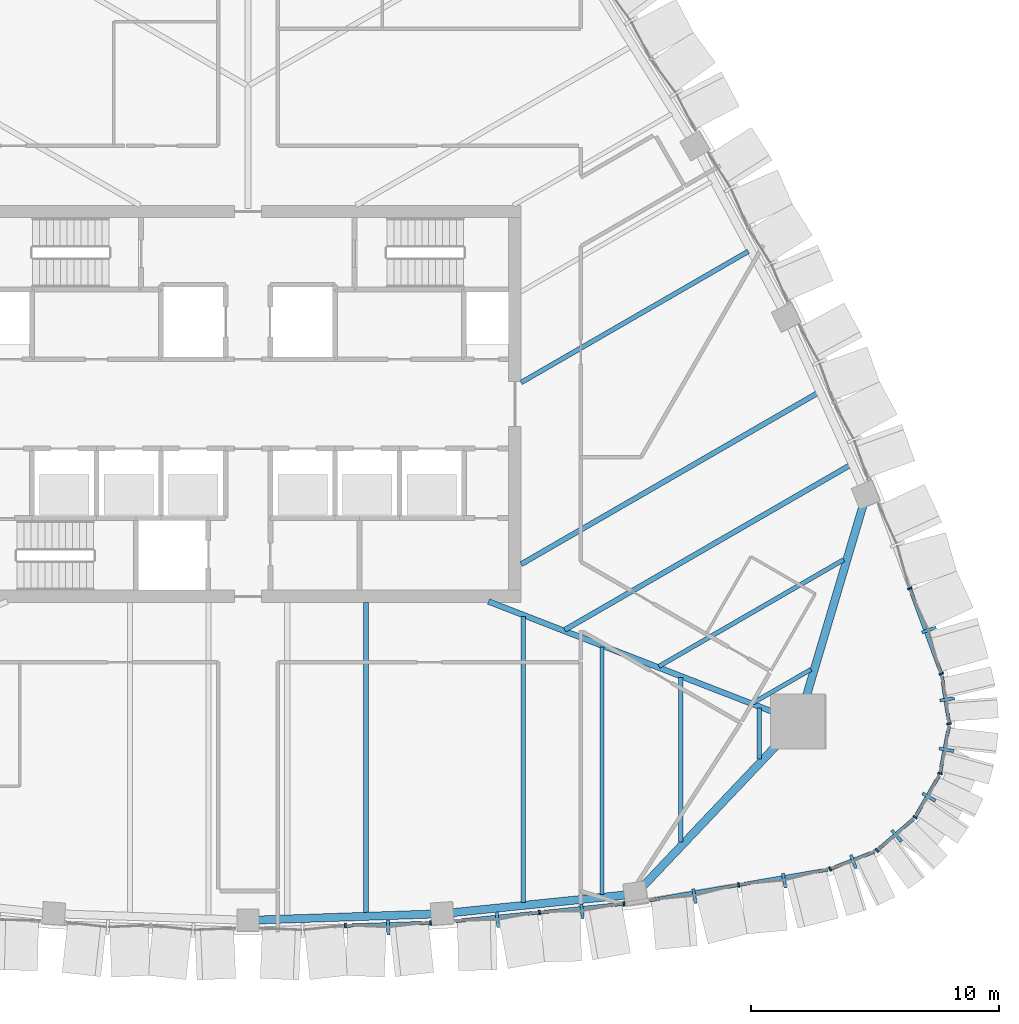
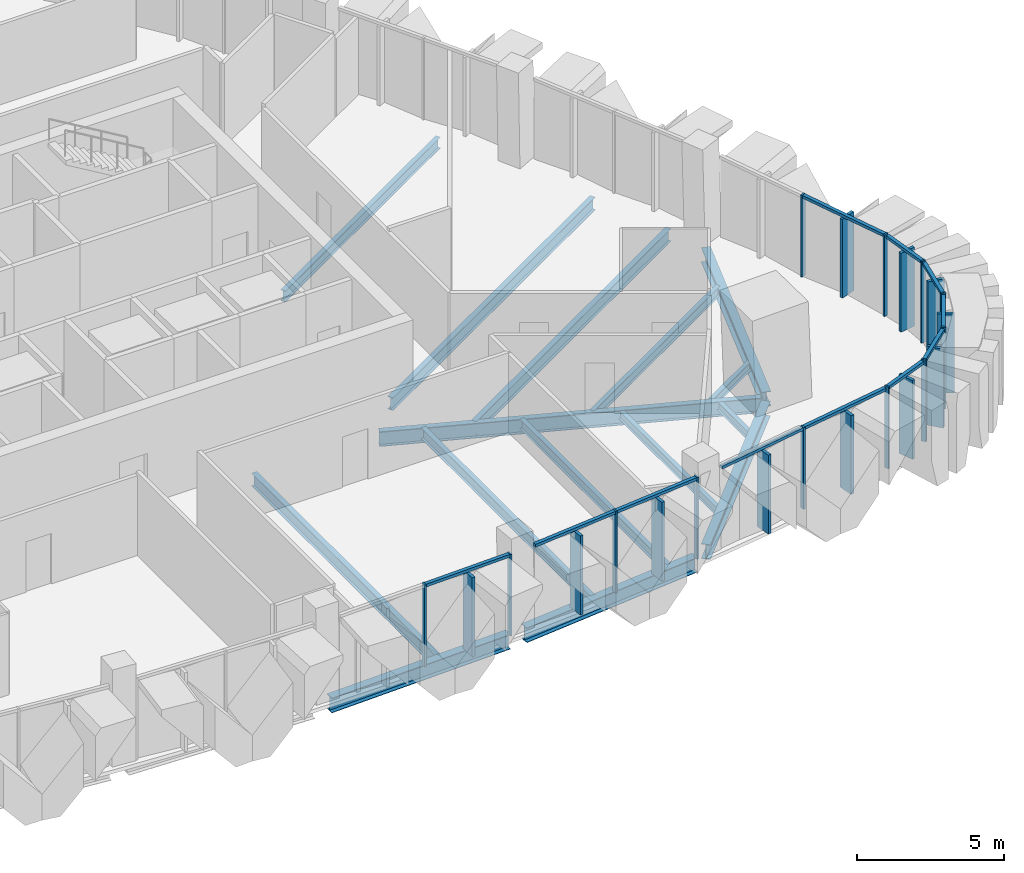
# One storey, part 4 of 19: 34 members, 15 beams, 9 elements without a shape of their own.
"""IFC4 building model written with IfcOpenShell, lengths in metres."""

from ifc_helpers import new_model, si_unit, direction, frame, origin, origin_2d, place, context, subcontext, project, spatial, rectangle, i_section, extrude, material, layer, layer_set, material_profile, profile_set, type_object, element, aggregate, save


model = new_model("IFC4")

# Units and contexts
model_context = context("Model", 3, precision=1e-05, world=origin(), true_north=direction((0.0, 1.0)))
body_context = subcontext(model_context, "Body", "Model", "MODEL_VIEW")
ifc_project = project(units=[si_unit("LENGTHUNIT", "METRE"), si_unit("AREAUNIT", "SQUARE_METRE"), si_unit("VOLUMEUNIT", "CUBIC_METRE"), si_unit("PLANEANGLEUNIT", "RADIAN"), si_unit("MASSUNIT", "GRAM", prefix="KILO")], contexts=[model_context])

# Site, building, storey
site_placement = place(None, origin())
site = spatial("IfcSite", under=ifc_project, at=site_placement, CompositionType="ELEMENT")
building_placement = place(site_placement, origin())
building = spatial("IfcBuilding", under=site, at=building_placement, Name="Sierra Prisma Convention Tower", CompositionType="ELEMENT")
storey_placement = place(building_placement, frame((0.0, 0.0, 235.0)))
storey = spatial("IfcBuildingStorey", under=building, at=storey_placement, Name="L52", CompositionType="ELEMENT", Elevation=235.0)

# Curtain wall, member
ifc_material_1 = material(Name="Aluminium and glass curtain wall", Category="aluminium")
ifc_layer = layer(ifc_material_1, 0.179931640625)
ifc_layer_set = layer_set([ifc_layer], Name="CW-2 Faceted crystal curtain wall")
curtain_wall_type = type_object("IfcCurtainWallType", Name="CW-2 Faceted crystal curtain wall", PredefinedType="NOTDEFINED", material=ifc_layer_set)
curtain_wall_1_placement = place(storey_placement, origin())
curtain_wall_1 = element("IfcCurtainWall", 1, at=curtain_wall_1_placement, inside=storey, type_object=curtain_wall_type, Name="CW-2 S4 L52", PredefinedType="NOTDEFINED")
ifc_material_2 = material(Name="Aluminium 6063-T6 bronze anodised", Category="aluminium")
ifc_material_profile_1 = material_profile(ifc_material_2, rectangle(XDim=0.1201171875, YDim=0.60009765625, at=origin_2d()), Name="ALU RIDGE BLADE 120x600")
ifc_profile_set_1 = profile_set([ifc_material_profile_1], Name="Aluminium 6063-T6 bronze anodised")
member_type_1 = type_object("IfcMemberType", Name="CW hip bronze", PredefinedType="MULLION", material=ifc_profile_set_1)
member_1_placement = place(storey_placement, frame((5.642578125, -21.087158203125, 0.0), z_axis=(0.0, 0.0, 1.0), x_axis=(0.999418789937, 0.034089328551, 0.0)))
member_1 = element("IfcMember", 2, at=member_1_placement, type_object=member_type_1, Name="CW-2 ridge S4.2", PredefinedType="MULLION", context=body_context, shape_type="SweptSolid", body=[
    extrude(rectangle(XDim=0.1201171875, YDim=0.60009765625, at=origin_2d()), origin(), (0.0, 0.0, 1.0), 3.280029296875),
])

# Curtain wall, members
curtain_wall_2_placement = place(storey_placement, origin())
curtain_wall_2 = element("IfcCurtainWall", 3, at=curtain_wall_2_placement, inside=storey, type_object=curtain_wall_type, Name="CW-2 S5 L52", PredefinedType="NOTDEFINED")
member_2_placement = place(storey_placement, frame((10.05078125, -20.786376953125, 0.0), z_axis=(0.0, 0.0, 1.0), x_axis=(0.994773162307, 0.102109527247, 0.0)))
member_2 = element("IfcMember", 4, at=member_2_placement, type_object=member_type_1, Name="CW-2 ridge S5.1", PredefinedType="MULLION", context=body_context, shape_type="SweptSolid", body=[
    extrude(rectangle(XDim=0.1201171875, YDim=0.60009765625, at=origin_2d()), origin(), (0.0, 0.0, 1.0), 3.280029296875),
])
member_3_placement = place(storey_placement, frame((13.454345703125, -20.43701171875, 0.0), z_axis=(0.0, 0.0, 1.0), x_axis=(0.994773162307, 0.102109527247, 0.0)))
member_3 = element("IfcMember", 5, at=member_3_placement, type_object=member_type_1, Name="CW-2 ridge S5.2", PredefinedType="MULLION", context=body_context, shape_type="SweptSolid", body=[
    extrude(rectangle(XDim=0.1201171875, YDim=0.60009765625, at=origin_2d()), origin(), (0.0, 0.0, 1.0), 3.280029296875),
])

curtain_wall_3_placement = place(storey_placement, origin())
curtain_wall_3 = element("IfcCurtainWall", 6, at=curtain_wall_3_placement, inside=storey, type_object=curtain_wall_type, Name="CW-2 S6 L52", PredefinedType="NOTDEFINED")
member_4_placement = place(storey_placement, frame((17.97900390625, -19.822998046875, 0.0), z_axis=(0.0, 0.0, 1.0), x_axis=(0.985503501452, 0.169655087236, 0.0)))
member_4 = element("IfcMember", 7, at=member_4_placement, type_object=member_type_1, Name="CW-2 ridge S6.1", PredefinedType="MULLION", context=body_context, shape_type="SweptSolid", body=[
    extrude(rectangle(XDim=0.1201171875, YDim=0.60009765625, at=origin_2d()), origin(), (0.0, 0.0, 1.0), 3.280029296875),
])
member_5_placement = place(storey_placement, frame((21.594482421875, -19.20068359375, 0.0), z_axis=(0.0, 0.0, 1.0), x_axis=(0.985503501452, 0.169655087236, 0.0)))
member_5 = element("IfcMember", 8, at=member_5_placement, type_object=member_type_1, Name="CW-2 ridge S6.2", PredefinedType="MULLION", context=body_context, shape_type="SweptSolid", body=[
    extrude(rectangle(XDim=0.1201171875, YDim=0.60009765625, at=origin_2d()), origin(), (0.0, 0.0, 1.0), 3.280029296875),
])

# Curtain wall, member
curtain_wall_4_placement = place(storey_placement, origin())
curtain_wall_4 = element("IfcCurtainWall", 9, at=curtain_wall_4_placement, inside=storey, type_object=curtain_wall_type, Name="CW-2 SE1 L52", PredefinedType="NOTDEFINED")
member_6_placement = place(storey_placement, frame((24.38720703125, -18.442626953125, 0.0), z_axis=(0.0, 0.0, 1.0), x_axis=(0.931201861345, 0.364503900429, 0.0)))
member_6 = element("IfcMember", 10, at=member_6_placement, type_object=member_type_1, Name="CW-2 ridge SE1.1", PredefinedType="MULLION", context=body_context, shape_type="SweptSolid", body=[
    extrude(rectangle(XDim=0.1201171875, YDim=0.60009765625, at=origin_2d()), origin(), (0.0, 0.0, 1.0), 3.280029296875),
])

curtain_wall_5_placement = place(storey_placement, origin())
curtain_wall_5 = element("IfcCurtainWall", 11, at=curtain_wall_5_placement, inside=storey, type_object=curtain_wall_type, Name="CW-2 SE2 L52", PredefinedType="NOTDEFINED")
member_7_placement = place(storey_placement, frame((26.126953125, -17.395751953125, 0.0), z_axis=(0.0, 0.0, 1.0), x_axis=(0.758264892074, 0.651946587879, 0.0)))
member_7 = element("IfcMember", 12, at=member_7_placement, type_object=member_type_1, Name="CW-2 ridge SE2.1", PredefinedType="MULLION", context=body_context, shape_type="SweptSolid", body=[
    extrude(rectangle(XDim=0.1201171875, YDim=0.60009765625, at=origin_2d()), origin(), (0.0, 0.0, 1.0), 3.280029296875),
])

curtain_wall_6_placement = place(storey_placement, origin())
curtain_wall_6 = element("IfcCurtainWall", 13, at=curtain_wall_6_placement, inside=storey, type_object=curtain_wall_type, Name="CW-2 SE3 L52", PredefinedType="NOTDEFINED")
member_8_placement = place(storey_placement, frame((27.4228515625, -15.83251953125, 0.0), z_axis=(0.0, 0.0, 1.0), x_axis=(0.5, 0.866025403784, 0.0)))
member_8 = element("IfcMember", 14, at=member_8_placement, type_object=member_type_1, Name="CW-2 ridge SE3.1", PredefinedType="MULLION", context=body_context, shape_type="SweptSolid", body=[
    extrude(rectangle(XDim=0.1201171875, YDim=0.60009765625, at=origin_2d()), origin(), (0.0, 0.0, 1.0), 3.280029296875),
])

curtain_wall_7_placement = place(storey_placement, origin())
curtain_wall_7 = element("IfcCurtainWall", 15, at=curtain_wall_7_placement, inside=storey, type_object=curtain_wall_type, Name="CW-2 SE4 L52", PredefinedType="NOTDEFINED")
member_9_placement = place(storey_placement, frame((28.128662109375, -13.9287109375, 0.0), z_axis=(0.0, 0.0, 1.0), x_axis=(0.185469860977, 0.982649953274, 0.0)))
member_9 = element("IfcMember", 16, at=member_9_placement, type_object=member_type_1, Name="CW-2 ridge SE4.1", PredefinedType="MULLION", context=body_context, shape_type="SweptSolid", body=[
    extrude(rectangle(XDim=0.1201171875, YDim=0.60009765625, at=origin_2d()), origin(), (0.0, 0.0, 1.0), 3.280029296875),
])

curtain_wall_8_placement = place(storey_placement, origin())
curtain_wall_8 = element("IfcCurtainWall", 17, at=curtain_wall_8_placement, inside=storey, type_object=curtain_wall_type, Name="CW-2 SE5 L52", PredefinedType="NOTDEFINED")
member_10_placement = place(storey_placement, frame((28.165283203125, -11.898681640625, 0.0), z_axis=(0.0, 0.0, 1.0), x_axis=(-0.149931293122, 0.98869641819, 0.0)))
member_10 = element("IfcMember", 18, at=member_10_placement, type_object=member_type_1, Name="CW-2 ridge SE5.1", PredefinedType="MULLION", context=body_context, shape_type="SweptSolid", body=[
    extrude(rectangle(XDim=0.1201171875, YDim=0.60009765625, at=origin_2d()), origin(), (0.0, 0.0, 1.0), 3.280029296875),
])

curtain_wall_9_placement = place(storey_placement, origin())
curtain_wall_9 = element("IfcCurtainWall", 19, at=curtain_wall_9_placement, inside=storey, type_object=curtain_wall_type, Name="CW-2 NE1 L52", PredefinedType="NOTDEFINED")
member_11_placement = place(storey_placement, frame((27.425537109375, -9.10107421875, 0.0), z_axis=(0.0, 0.0, 1.0), x_axis=(-0.345826135298, 0.938298611394, 0.0)))
member_11 = element("IfcMember", 20, at=member_11_placement, type_object=member_type_1, Name="CW-2 ridge NE1.1", PredefinedType="MULLION", context=body_context, shape_type="SweptSolid", body=[
    extrude(rectangle(XDim=0.1201171875, YDim=0.60009765625, at=origin_2d()), origin(), (0.0, 0.0, 1.0), 3.280029296875),
])

# Member
ifc_material_3 = material(Name="Aluminium 6063-T6 bronze anodised", Category="aluminium")
ifc_material_profile_2 = material_profile(ifc_material_3, rectangle(XDim=0.179931640625, YDim=0.070068359375, at=origin_2d()), Name="ALU MULLION 70x180")
ifc_profile_set_2 = profile_set([ifc_material_profile_2], Name="Aluminium 6063-T6 bronze anodised")
member_type_2 = type_object("IfcMemberType", Name="CW mullion bronze", PredefinedType="MULLION", material=ifc_profile_set_2)
member_12_placement = place(storey_placement, frame((3.92041015625, -21.013427734375, 0.0), z_axis=(0.0, 0.0, 1.0), x_axis=(-0.034089328551, 0.999418789937, 0.0)))
member_12 = element("IfcMember", 21, at=member_12_placement, type_object=member_type_2, Name="CW-1 mullion S4.2", PredefinedType="MULLION", context=body_context, shape_type="SweptSolid", body=[
    extrude(rectangle(XDim=0.179931640625, YDim=0.070068359375, at=origin_2d()), origin(), (0.0, 0.0, 1.0), 3.39990234375),
])

member_13_placement = place(storey_placement, frame((7.35595703125, -20.896240234375, 0.0), z_axis=(0.0, 0.0, 1.0), x_axis=(-0.034089328551, 0.999418789937, 0.0)))
member_13 = element("IfcMember", 22, at=member_13_placement, type_object=member_type_2, Name="CW-1 mullion S4.3", PredefinedType="MULLION", context=body_context, shape_type="SweptSolid", body=[
    extrude(rectangle(XDim=0.179931640625, YDim=0.070068359375, at=origin_2d()), origin(), (0.0, 0.0, 1.0), 3.39990234375),
])

member_14_placement = place(storey_placement, frame((11.739013671875, -20.48046875, 0.0), z_axis=(0.0, 0.0, 1.0), x_axis=(-0.102109527247, 0.994773162307, 0.0)))
member_14 = element("IfcMember", 23, at=member_14_placement, type_object=member_type_2, Name="CW-1 mullion S5.2", PredefinedType="MULLION", context=body_context, shape_type="SweptSolid", body=[
    extrude(rectangle(XDim=0.179931640625, YDim=0.070068359375, at=origin_2d()), origin(), (0.0, 0.0, 1.0), 3.39990234375),
])

member_15_placement = place(storey_placement, frame((15.142822265625, -20.131103515625, 0.0), z_axis=(0.0, 0.0, 1.0), x_axis=(-0.102109527247, 0.994773162307, 0.0)))
member_15 = element("IfcMember", 24, at=member_15_placement, type_object=member_type_2, Name="CW-1 mullion S5.3", PredefinedType="MULLION", context=body_context, shape_type="SweptSolid", body=[
    extrude(rectangle(XDim=0.179931640625, YDim=0.070068359375, at=origin_2d()), origin(), (0.0, 0.0, 1.0), 3.39990234375),
])

member_16_placement = place(storey_placement, frame((19.7626953125, -19.372314453125, 0.0), z_axis=(0.0, 0.0, 1.0), x_axis=(-0.169655087236, 0.985503501452, 0.0)))
member_16 = element("IfcMember", 25, at=member_16_placement, type_object=member_type_2, Name="CW-1 mullion S6.2", PredefinedType="MULLION", context=body_context, shape_type="SweptSolid", body=[
    extrude(rectangle(XDim=0.179931640625, YDim=0.070068359375, at=origin_2d()), origin(), (0.0, 0.0, 1.0), 3.39990234375),
])

member_17_placement = place(storey_placement, frame((23.4453125, -18.731201171875, 0.0), z_axis=(0.0, 0.0, 1.0), x_axis=(-0.364503900429, 0.931201861345, 0.0)))
member_17 = element("IfcMember", 26, at=member_17_placement, type_object=member_type_2, Name="CW-1 mullion SE1.1", PredefinedType="MULLION", context=body_context, shape_type="SweptSolid", body=[
    extrude(rectangle(XDim=0.179931640625, YDim=0.070068359375, at=origin_2d()), origin(), (0.0, 0.0, 1.0), 3.39990234375),
])

member_18_placement = place(storey_placement, frame((25.333740234375, -17.9794921875, 0.0), z_axis=(0.0, 0.0, 1.0), x_axis=(-0.651946587879, 0.758264892074, 0.0)))
member_18 = element("IfcMember", 27, at=member_18_placement, type_object=member_type_2, Name="CW-1 mullion SE2.1", PredefinedType="MULLION", context=body_context, shape_type="SweptSolid", body=[
    extrude(rectangle(XDim=0.179931640625, YDim=0.070068359375, at=origin_2d()), origin(), (0.0, 0.0, 1.0), 3.39990234375),
])

member_19_placement = place(storey_placement, frame((26.8671875, -16.645751953125, 0.0), z_axis=(0.0, 0.0, 1.0), x_axis=(-0.866025403784, 0.5, 0.0)))
member_19 = element("IfcMember", 28, at=member_19_placement, type_object=member_type_2, Name="CW-1 mullion SE3.1", PredefinedType="MULLION", context=body_context, shape_type="SweptSolid", body=[
    extrude(rectangle(XDim=0.179931640625, YDim=0.070068359375, at=origin_2d()), origin(), (0.0, 0.0, 1.0), 3.39990234375),
])

member_20_placement = place(storey_placement, frame((27.873291015625, -14.8798828125, 0.0), z_axis=(0.0, 0.0, 1.0), x_axis=(-0.982649953274, 0.185469860977, 0.0)))
member_20 = element("IfcMember", 29, at=member_20_placement, type_object=member_type_2, Name="CW-1 mullion SE4.1", PredefinedType="MULLION", context=body_context, shape_type="SweptSolid", body=[
    extrude(rectangle(XDim=0.179931640625, YDim=0.070068359375, at=origin_2d()), origin(), (0.0, 0.0, 1.0), 3.39990234375),
])

member_21_placement = place(storey_placement, frame((28.23876953125, -12.880859375, 0.0), z_axis=(0.0, 0.0, 1.0), x_axis=(-0.98869641819, -0.149931293122, 0.0)))
member_21 = element("IfcMember", 30, at=member_21_placement, type_object=member_type_2, Name="CW-1 mullion SE5.1", PredefinedType="MULLION", context=body_context, shape_type="SweptSolid", body=[
    extrude(rectangle(XDim=0.179931640625, YDim=0.070068359375, at=origin_2d()), origin(), (0.0, 0.0, 1.0), 3.39990234375),
])

member_22_placement = place(storey_placement, frame((27.927001953125, -10.871337890625, 0.0), z_axis=(0.0, 0.0, 1.0), x_axis=(-0.938298611394, -0.345826135298, 0.0)))
member_22 = element("IfcMember", 31, at=member_22_placement, type_object=member_type_2, Name="CW-1 mullion NE1.1", PredefinedType="MULLION", context=body_context, shape_type="SweptSolid", body=[
    extrude(rectangle(XDim=0.179931640625, YDim=0.070068359375, at=origin_2d()), origin(), (0.0, 0.0, 1.0), 3.39990234375),
])

member_23_placement = place(storey_placement, frame((26.658203125, -7.428955078125, 0.0), z_axis=(0.0, 0.0, 1.0), x_axis=(-0.938298611394, -0.345826135298, 0.0)))
member_23 = element("IfcMember", 32, at=member_23_placement, type_object=member_type_2, Name="CW-1 mullion NE1.2", PredefinedType="MULLION", context=body_context, shape_type="SweptSolid", body=[
    extrude(rectangle(XDim=0.179931640625, YDim=0.070068359375, at=origin_2d()), origin(), (0.0, 0.0, 1.0), 3.39990234375),
])

ifc_material_4 = material(Name="Aluminium 6063-T6 bronze anodised", Category="aluminium")
ifc_material_profile_3 = material_profile(ifc_material_4, rectangle(XDim=0.139892578125, YDim=0.1201171875, at=origin_2d()), Name="ALU TRANSOM 120x140")
ifc_profile_set_3 = profile_set([ifc_material_profile_3], Name="Aluminium 6063-T6 bronze anodised")
member_type_3 = type_object("IfcMemberType", Name="CW transom bronze", PredefinedType="USERDEFINED", material=ifc_profile_set_3)
member_24_placement = place(storey_placement, frame((3.955322265625, -21.01220703125, 3.340087890625), z_axis=(0.999419270698, 0.034075230847, 0.0), x_axis=(-0.034075230847, 0.999419270698, 0.0)))
member_24 = element("IfcMember", 33, at=member_24_placement, type_object=member_type_3, Name="CW-1 transom S4.2", ObjectType="TRANSOM", PredefinedType="USERDEFINED", context=body_context, shape_type="SweptSolid", body=[
    extrude(rectangle(XDim=0.139892578125, YDim=0.1201171875, at=origin_2d()), origin(), (0.0, 0.0, 1.0), 3.367431640625),
])

aggregate(curtain_wall_1, [member_12, member_13, member_24, member_1])

member_25_placement = place(storey_placement, frame((8.3701171875, -20.826171875, 3.340087890625), z_axis=(0.994771956152, 0.102121277186, 0.0), x_axis=(-0.102121277186, 0.994771956152, 0.0)))
member_25 = element("IfcMember", 34, at=member_25_placement, type_object=member_type_3, Name="CW-1 transom S5.1", ObjectType="TRANSOM", PredefinedType="USERDEFINED", context=body_context, shape_type="SweptSolid", body=[
    extrude(rectangle(XDim=0.139892578125, YDim=0.1201171875, at=origin_2d()), origin(), (0.0, 0.0, 1.0), 3.351806640625),
])

member_26_placement = place(storey_placement, frame((11.77392578125, -20.476806640625, 3.340087890625), z_axis=(0.994771956152, 0.102121277186, 0.0), x_axis=(-0.102121277186, 0.994771956152, 0.0)))
member_26 = element("IfcMember", 35, at=member_26_placement, type_object=member_type_3, Name="CW-1 transom S5.2", ObjectType="TRANSOM", PredefinedType="USERDEFINED", context=body_context, shape_type="SweptSolid", body=[
    extrude(rectangle(XDim=0.139892578125, YDim=0.1201171875, at=origin_2d()), origin(), (0.0, 0.0, 1.0), 3.351806640625),
])

aggregate(curtain_wall_2, [member_14, member_15, member_25, member_2, member_26, member_3])

member_27_placement = place(storey_placement, frame((16.181640625, -19.98876953125, 3.340087890625), z_axis=(0.985501604605, 0.169666105398, 0.0), x_axis=(-0.169666105398, 0.985501604605, 0.0)))
member_27 = element("IfcMember", 36, at=member_27_placement, type_object=member_type_3, Name="CW-1 transom S6.1", ObjectType="TRANSOM", PredefinedType="USERDEFINED", context=body_context, shape_type="SweptSolid", body=[
    extrude(rectangle(XDim=0.139892578125, YDim=0.1201171875, at=origin_2d()), origin(), (0.0, 0.0, 1.0), 3.598876953125),
])

member_28_placement = place(storey_placement, frame((19.797119140625, -19.3662109375, 3.340087890625), z_axis=(0.985512945687, 0.169600217816, 0.0), x_axis=(-0.169600217816, 0.985512945687, 0.0)))
member_28 = element("IfcMember", 37, at=member_28_placement, type_object=member_type_3, Name="CW-1 transom S6.2", ObjectType="TRANSOM", PredefinedType="USERDEFINED", context=body_context, shape_type="SweptSolid", body=[
    extrude(rectangle(XDim=0.139892578125, YDim=0.1201171875, at=origin_2d()), origin(), (0.0, 0.0, 1.0), 3.598876953125),
])

aggregate(curtain_wall_3, [member_16, member_27, member_4, member_28, member_5])

member_29_placement = place(storey_placement, frame((23.47802734375, -18.718505859375, 3.340087890625), z_axis=(0.931162893576, 0.364603436115, 0.0), x_axis=(-0.364603436115, 0.931162893576, 0.0)))
member_29 = element("IfcMember", 38, at=member_29_placement, type_object=member_type_3, Name="CW-1 transom SE1.1", ObjectType="TRANSOM", PredefinedType="USERDEFINED", context=body_context, shape_type="SweptSolid", body=[
    extrude(rectangle(XDim=0.139892578125, YDim=0.1201171875, at=origin_2d()), origin(), (0.0, 0.0, 1.0), 1.894287109375),
])

aggregate(curtain_wall_4, [member_17, member_29, member_6])

member_30_placement = place(storey_placement, frame((25.360107421875, -17.956787109375, 3.340087890625), z_axis=(0.758264189206, 0.651947405369, 0.0), x_axis=(-0.651947405369, 0.758264189206, 0.0)))
member_30 = element("IfcMember", 39, at=member_30_placement, type_object=member_type_3, Name="CW-1 transom SE2.1", ObjectType="TRANSOM", PredefinedType="USERDEFINED", context=body_context, shape_type="SweptSolid", body=[
    extrude(rectangle(XDim=0.139892578125, YDim=0.1201171875, at=origin_2d()), origin(), (0.0, 0.0, 1.0), 1.89453125),
])

aggregate(curtain_wall_5, [member_18, member_30, member_7])

member_31_placement = place(storey_placement, frame((26.884521484375, -16.615478515625, 3.340087890625), z_axis=(0.500075738423, 0.865981671769, 0.0), x_axis=(-0.865981671769, 0.500075738423, 0.0)))
member_31 = element("IfcMember", 40, at=member_31_placement, type_object=member_type_3, Name="CW-1 transom SE3.1", ObjectType="TRANSOM", PredefinedType="USERDEFINED", context=body_context, shape_type="SweptSolid", body=[
    extrude(rectangle(XDim=0.139892578125, YDim=0.1201171875, at=origin_2d()), origin(), (0.0, 0.0, 1.0), 1.894287109375),
])

aggregate(curtain_wall_6, [member_19, member_31, member_8])

member_32_placement = place(storey_placement, frame((27.8798828125, -14.845703125, 3.340087890625), z_axis=(0.185447774575, 0.982654121706, 0.0), x_axis=(-0.982654121706, 0.185447774575, 0.0)))
member_32 = element("IfcMember", 41, at=member_32_placement, type_object=member_type_3, Name="CW-1 transom SE4.1", ObjectType="TRANSOM", PredefinedType="USERDEFINED", context=body_context, shape_type="SweptSolid", body=[
    extrude(rectangle(XDim=0.139892578125, YDim=0.1201171875, at=origin_2d()), origin(), (0.0, 0.0, 1.0), 1.89453125),
])

aggregate(curtain_wall_7, [member_20, member_32, member_9])

member_33_placement = place(storey_placement, frame((28.233642578125, -12.84619140625, 3.340087890625), z_axis=(-0.150023000643, 0.988682506813, 0.0), x_axis=(-0.988682506813, -0.150023000643, 0.0)))
member_33 = element("IfcMember", 42, at=member_33_placement, type_object=member_type_3, Name="CW-1 transom SE5.1", ObjectType="TRANSOM", PredefinedType="USERDEFINED", context=body_context, shape_type="SweptSolid", body=[
    extrude(rectangle(XDim=0.139892578125, YDim=0.1201171875, at=origin_2d()), origin(), (0.0, 0.0, 1.0), 1.894287109375),
])

aggregate(curtain_wall_8, [member_21, member_33, member_10])

member_34_placement = place(storey_placement, frame((27.914794921875, -10.83837890625, 3.340087890625), z_axis=(-0.345787098007, 0.938312998339, 0.0), x_axis=(-0.938312998339, -0.345787098007, 0.0)))
member_34 = element("IfcMember", 43, at=member_34_placement, type_object=member_type_3, Name="CW-1 transom NE1.1", ObjectType="TRANSOM", PredefinedType="USERDEFINED", context=body_context, shape_type="SweptSolid", body=[
    extrude(rectangle(XDim=0.139892578125, YDim=0.1201171875, at=origin_2d()), origin(), (0.0, 0.0, 1.0), 3.5986328125),
])

aggregate(curtain_wall_9, [member_22, member_23, member_34, member_11])

# Beams
ifc_material_5 = material(Name="Steel ASTM A992 Gr 50", Category="steel")
ifc_material_profile_4 = material_profile(ifc_material_5, i_section(OverallWidth=0.172119140625, OverallDepth=0.35791015625, WebThickness=0.0078125, FlangeThickness=0.01318359375, at=origin_2d()), Name="W360x57")
ifc_profile_set_4 = profile_set([ifc_material_profile_4], Name="Steel ASTM A992 Gr 50")
beam_type_1 = type_object("IfcBeamType", Name="Floor joist W360x57", PredefinedType="JOIST", material=ifc_profile_set_4)
beam_1_placement = place(storey_placement, frame((17.427734375, -17.63720703125, -0.3291015625), z_axis=(0.0, 1.0, 0.0), x_axis=(-1.0, 0.0, 0.0)))
element("IfcBeam", 44, at=beam_1_placement, inside=storey, type_object=beam_type_1, Name="Floor joist L52 S13", PredefinedType="JOIST", context=body_context, shape_type="SweptSolid", body=[
    extrude(i_section(OverallWidth=0.172119140625, OverallDepth=0.35791015625, WebThickness=0.0078125, FlangeThickness=0.01318359375, at=origin_2d()), origin(), (0.0, 0.0, 1.0), 6.626953125),
])
beam_2_placement = place(storey_placement, frame((20.596435546875, -14.292236328125, -0.3291015625), z_axis=(0.0, 1.0, 0.0), x_axis=(-1.0, 0.0, 0.0)))
element("IfcBeam", 45, at=beam_2_placement, inside=storey, type_object=beam_type_1, Name="Floor joist L52 S14", PredefinedType="JOIST", context=body_context, shape_type="SweptSolid", body=[
    extrude(i_section(OverallWidth=0.172119140625, OverallDepth=0.35791015625, WebThickness=0.0078125, FlangeThickness=0.01318359375, at=origin_2d()), origin(), (0.0, 0.0, 1.0), 2.0517578125),
])
beam_3_placement = place(storey_placement, frame((22.67578125, -10.69091796875, -0.3291015625), z_axis=(-0.866042559446, -0.499970284345, 0.0), x_axis=(0.499970284345, -0.866042559446, 0.0)))
element("IfcBeam", 46, at=beam_3_placement, inside=storey, type_object=beam_type_1, Name="Floor joist L52 NE01", PredefinedType="JOIST", context=body_context, shape_type="SweptSolid", body=[
    extrude(i_section(OverallWidth=0.172119140625, OverallDepth=0.35791015625, WebThickness=0.0078125, FlangeThickness=0.01318359375, at=origin_2d()), origin(), (0.0, 0.0, 1.0), 2.700439453125),
])
ifc_material_6 = material(Name="Steel ASTM A992 Gr 50", Category="steel")
ifc_material_profile_5 = material_profile(ifc_material_6, i_section(OverallWidth=0.177978515625, OverallDepth=0.406982421875, WebThickness=0.0078125, FlangeThickness=0.0126953125, at=origin_2d()), Name="W410x60")
ifc_profile_set_5 = profile_set([ifc_material_profile_5], Name="Steel ASTM A992 Gr 50")
beam_type_2 = type_object("IfcBeamType", Name="Floor joist W410x60", PredefinedType="JOIST", material=ifc_profile_set_5)
beam_4_placement = place(storey_placement, frame((14.259033203125, -19.756591796875, -0.353515625), z_axis=(0.0, 1.0, 0.0), x_axis=(-1.0, 0.0, 0.0)))
element("IfcBeam", 47, at=beam_4_placement, inside=storey, type_object=beam_type_2, Name="Floor joist L52 S12", PredefinedType="JOIST", context=body_context, shape_type="SweptSolid", body=[
    extrude(i_section(OverallWidth=0.177978515625, OverallDepth=0.406982421875, WebThickness=0.0078125, FlangeThickness=0.0126953125, at=origin_2d()), origin(), (0.0, 0.0, 1.0), 9.976318359375),
])
beam_5_placement = place(storey_placement, frame((23.98828125, -6.274169921875, -0.353515625), z_axis=(-0.866024224461, -0.500002042643, 0.0), x_axis=(0.500002042643, -0.866024224461, 0.0)))
element("IfcBeam", 48, at=beam_5_placement, inside=storey, type_object=beam_type_2, Name="Floor joist L52 NE02", PredefinedType="JOIST", context=body_context, shape_type="SweptSolid", body=[
    extrude(i_section(OverallWidth=0.177978515625, OverallDepth=0.406982421875, WebThickness=0.0078125, FlangeThickness=0.0126953125, at=origin_2d()), origin(), (0.0, 0.0, 1.0), 8.591796875),
])
ifc_material_7 = material(Name="Steel ASTM A992 Gr 50", Category="steel")
ifc_material_profile_6 = material_profile(ifc_material_7, i_section(OverallWidth=0.18994140625, OverallDepth=0.45703125, WebThickness=0.009033203125, FlangeThickness=0.014404296875, at=origin_2d()), Name="W460x74")
ifc_profile_set_6 = profile_set([ifc_material_profile_6], Name="Steel ASTM A992 Gr 50")
beam_type_3 = type_object("IfcBeamType", Name="Floor joist W460x74", PredefinedType="JOIST", material=ifc_profile_set_6)
beam_6_placement = place(storey_placement, frame((11.09033203125, -20.08203125, -0.37841796875), z_axis=(0.0, 1.0, 0.0), x_axis=(-1.0, 0.0, 0.0)))
element("IfcBeam", 49, at=beam_6_placement, inside=storey, type_object=beam_type_3, Name="Floor joist L52 S11", PredefinedType="JOIST", context=body_context, shape_type="SweptSolid", body=[
    extrude(i_section(OverallWidth=0.18994140625, OverallDepth=0.45703125, WebThickness=0.009033203125, FlangeThickness=0.014404296875, at=origin_2d()), origin(), (0.0, 0.0, 1.0), 11.53173828125),
])
beam_7_placement = place(storey_placement, frame((20.1494140625, 6.14501953125, -0.37841796875), z_axis=(-0.866023189246, -0.500003835674, 0.0), x_axis=(0.500003835674, -0.866023189246, 0.0)))
element("IfcBeam", 50, at=beam_7_placement, inside=storey, type_object=beam_type_3, Name="Floor joist L52 NE06", PredefinedType="JOIST", context=body_context, shape_type="SweptSolid", body=[
    extrude(i_section(OverallWidth=0.18994140625, OverallDepth=0.45703125, WebThickness=0.009033203125, FlangeThickness=0.014404296875, at=origin_2d()), origin(), (0.0, 0.0, 1.0), 10.56494140625),
])
ifc_material_8 = material(Name="Steel ASTM A992 Gr 50", Category="steel")
ifc_material_profile_7 = material_profile(ifc_material_8, i_section(OverallWidth=0.208984375, OverallDepth=0.532958984375, WebThickness=0.01025390625, FlangeThickness=0.015625, at=origin_2d()), Name="W530x92")
ifc_profile_set_7 = profile_set([ifc_material_profile_7], Name="Steel ASTM A992 Gr 50")
beam_type_4 = type_object("IfcBeamType", Name="Floor joist W530x92", PredefinedType="JOIST", material=ifc_profile_set_7)
beam_8_placement = place(storey_placement, frame((4.7529296875, -20.5224609375, -0.41650390625), z_axis=(0.0, 1.0, 0.0), x_axis=(-1.0, 0.0, 0.0)))
element("IfcBeam", 51, at=beam_8_placement, inside=storey, type_object=beam_type_4, Name="Floor joist L52 S09", PredefinedType="JOIST", context=body_context, shape_type="SweptSolid", body=[
    extrude(i_section(OverallWidth=0.208984375, OverallDepth=0.532958984375, WebThickness=0.01025390625, FlangeThickness=0.015625, at=origin_2d()), origin(), (0.0, 0.0, 1.0), 12.5224609375),
])
beam_9_placement = place(storey_placement, frame((24.239501953125, -2.470458984375, -0.41650390625), z_axis=(-0.866025811336, -0.499999294099, 0.0), x_axis=(0.499999294099, -0.866025811336, 0.0)))
element("IfcBeam", 52, at=beam_9_placement, inside=storey, type_object=beam_type_4, Name="Floor joist L52 NE03", PredefinedType="JOIST", context=body_context, shape_type="SweptSolid", body=[
    extrude(i_section(OverallWidth=0.208984375, OverallDepth=0.532958984375, WebThickness=0.01025390625, FlangeThickness=0.015625, at=origin_2d()), origin(), (0.0, 0.0, 1.0), 13.25732421875),
])
beam_10_placement = place(storey_placement, frame((22.936767578125, 0.4365234375, -0.41650390625), z_axis=(-0.866020699966, -0.500008147165, 0.0), x_axis=(0.500008147165, -0.866020699966, 0.0)))
element("IfcBeam", 53, at=beam_10_placement, inside=storey, type_object=beam_type_4, Name="Floor joist L52 NE04", PredefinedType="JOIST", context=body_context, shape_type="SweptSolid", body=[
    extrude(i_section(OverallWidth=0.208984375, OverallDepth=0.532958984375, WebThickness=0.01025390625, FlangeThickness=0.015625, at=origin_2d()), origin(), (0.0, 0.0, 1.0), 13.783447265625),
])
ifc_material_9 = material(Name="Steel ASTM A992 Gr 50", Category="steel")
ifc_material_profile_8 = material_profile(ifc_material_9, i_section(OverallWidth=0.22998046875, OverallDepth=0.616943359375, WebThickness=0.01318359375, FlangeThickness=0.022216796875, at=origin_2d()), Name="W610x140")
ifc_profile_set_8 = profile_set([ifc_material_profile_8], Name="Steel ASTM A992 Gr 50")
beam_type_5 = type_object("IfcBeamType", Name="Radial girder W610x140", PredefinedType="BEAM", material=ifc_profile_set_8)
beam_11_placement = place(storey_placement, frame((21.960693359375, -12.720703125, -0.45849609375), z_axis=(-0.932221675017, 0.361887756948, 0.0), x_axis=(-0.361887756948, -0.932221675017, 0.0)))
element("IfcBeam", 54, at=beam_11_placement, inside=storey, type_object=beam_type_5, Name="Radial girder L52 SE", PredefinedType="BEAM", context=body_context, shape_type="SweptSolid", body=[
    extrude(i_section(OverallWidth=0.22998046875, OverallDepth=0.616943359375, WebThickness=0.01318359375, FlangeThickness=0.022216796875, at=origin_2d()), origin(), (0.0, 0.0, 1.0), 13.164794921875),
])
ifc_material_10 = material(Name="Steel ASTM A992 Gr 50", Category="steel")
ifc_material_profile_9 = material_profile(ifc_material_10, i_section(OverallWidth=0.324951171875, OverallDepth=0.615966796875, WebThickness=0.013916015625, FlangeThickness=0.021484375, at=origin_2d()), Name="W610x174")
ifc_profile_set_9 = profile_set([ifc_material_profile_9], Name="Steel ASTM A992 Gr 50")
beam_type_6 = type_object("IfcBeamType", Name="Spandrel beam W610x174", PredefinedType="BEAM", material=ifc_profile_set_9)
for number, where, z_axis, x_axis, name in (
    (55, (0.330078125, -20.785888671875, -0.4580078125), (0.999418304175, 0.034103566979, 0.0), (-0.034103566979, 0.999418304175, 0.0), "Spandrel L52-04"),
    (56, (8.157470703125, -20.496337890625, -0.4580078125), (0.99477328626, 0.102108319663, 0.0), (-0.102108319663, 0.99477328626, 0.0), "Spandrel L52-05"),
):
    element("IfcBeam", number, at=place(storey_placement, frame(where, z_axis=z_axis, x_axis=x_axis)), inside=storey, type_object=beam_type_6, Name=name, PredefinedType="BEAM", context=body_context, shape_type="SweptSolid", body=[
        extrude(i_section(OverallWidth=0.324951171875, OverallDepth=0.615966796875, WebThickness=0.013916015625, FlangeThickness=0.021484375, at=origin_2d()), origin(), (0.0, 0.0, 1.0), 7.173095703125),
    ])
beam_12_placement = place(storey_placement, frame((15.935791015625, -19.3984375, -0.4580078125), z_axis=(0.687726132166, 0.725970224689, 0.0), x_axis=(-0.725970224689, 0.687726132166, 0.0)))
element("IfcBeam", 57, at=beam_12_placement, inside=storey, type_object=beam_type_6, Name="Spandrel L52-06", PredefinedType="BEAM", context=body_context, shape_type="SweptSolid", body=[
    extrude(i_section(OverallWidth=0.324951171875, OverallDepth=0.615966796875, WebThickness=0.013916015625, FlangeThickness=0.021484375, at=origin_2d()), origin(), (0.0, 0.0, 1.0), 8.777587890625),
])
beam_13_placement = place(storey_placement, frame((22.24609375, -12.586181640625, -0.4580078125), z_axis=(0.284869582006, 0.958566284222, 0.0), x_axis=(-0.958566284222, 0.284869582006, 0.0)))
element("IfcBeam", 58, at=beam_13_placement, inside=storey, type_object=beam_type_6, Name="Spandrel L52-07", PredefinedType="BEAM", context=body_context, shape_type="SweptSolid", body=[
    extrude(i_section(OverallWidth=0.324951171875, OverallDepth=0.615966796875, WebThickness=0.013916015625, FlangeThickness=0.021484375, at=origin_2d()), origin(), (0.0, 0.0, 1.0), 8.851318359375),
])

save(model, "model.ifc")
